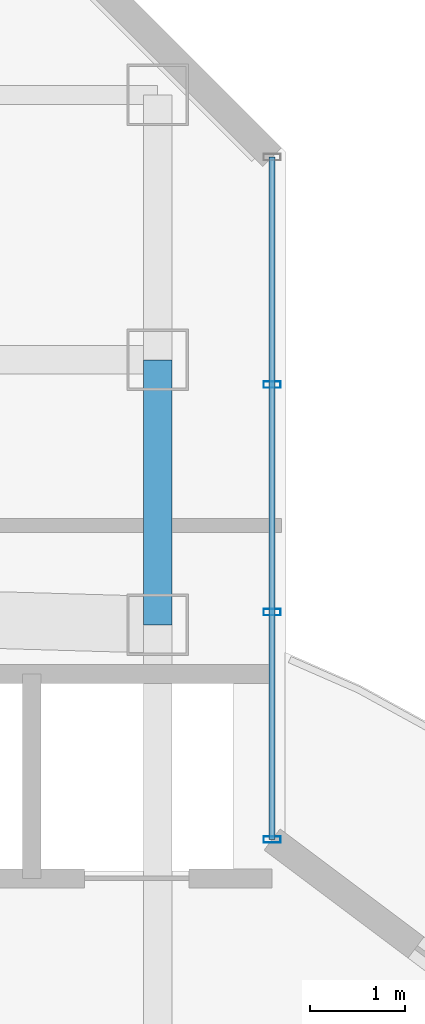
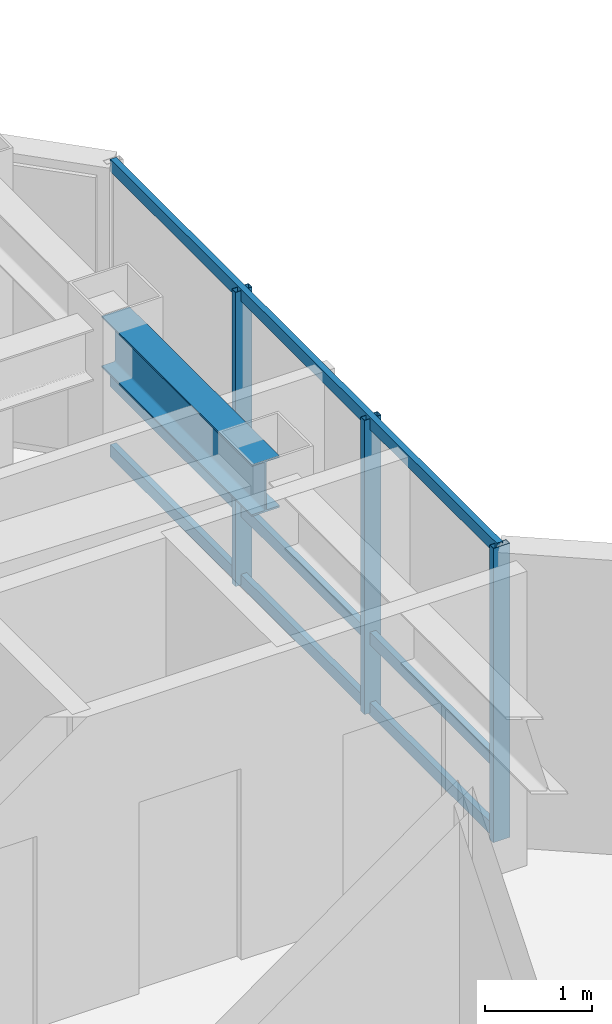
# One storey, part 12 of 22: 6 members, 1 beam, 1 element without a shape of its own.
"""IFC4 building model written with IfcOpenShell, lengths in metres."""

from ifc_helpers import new_model, si_unit, direction, frame, origin, origin_2d, place, context, subcontext, project, spatial, hollow_rectangle, i_section, extrude, material, layer, layer_set, material_profile, profile_set, type_object, element, aggregate, save


model = new_model("IFC4")

# Units and contexts
model_context = context("Model", 3, precision=1e-05, world=origin(), true_north=direction((0.0, 1.0)))
body_context = subcontext(model_context, "Body", "Model", "MODEL_VIEW")
ifc_project = project(units=[si_unit("LENGTHUNIT", "METRE"), si_unit("AREAUNIT", "SQUARE_METRE"), si_unit("VOLUMEUNIT", "CUBIC_METRE"), si_unit("PLANEANGLEUNIT", "RADIAN"), si_unit("MASSUNIT", "GRAM", prefix="KILO")], contexts=[model_context])

# Site, building, storey
site_placement = place(None, origin())
site = spatial("IfcSite", under=ifc_project, at=site_placement, CompositionType="ELEMENT")
building_placement = place(site_placement, origin())
building = spatial("IfcBuilding", under=site, at=building_placement, Name="Hatsunagi Terrace Concourse", CompositionType="ELEMENT")
storey_placement = place(building_placement, frame((0.0, 0.0, 239.550048828125)))
storey = spatial("IfcBuildingStorey", under=building, at=storey_placement, Name="L63", CompositionType="ELEMENT", Elevation=239.550048828125)

# Curtain wall, members
ifc_material_1 = material(Name="Anodised Aluminium Alloy 6063-T5", Category="aluminium")
ifc_layer = layer(ifc_material_1, 0.199951171875)
ifc_layer_set = layer_set([ifc_layer], Name="OfficeZone2_CW04")
curtain_wall_type = type_object("IfcCurtainWallType", Name="OfficeZone2_CW04", PredefinedType="NOTDEFINED", material=ifc_layer_set)
curtain_wall_placement = place(storey_placement, origin())
curtain_wall = element("IfcCurtainWall", 1, at=curtain_wall_placement, inside=storey, type_object=curtain_wall_type, Name="Unitised Curtain Wall CW-04 CW-L63-12", PredefinedType="NOTDEFINED")
ifc_material_2 = material(Name="Anodised Aluminium Alloy 6063-T5", Category="aluminium")
ifc_material_profile_1 = material_profile(ifc_material_2, hollow_rectangle(XDim=0.070068359375, YDim=0.179931640625, WallThickness=0.00390625, at=origin_2d()), Name="ALU-MUL-180x70x4")
ifc_profile_set_1 = profile_set([ifc_material_profile_1], Name="Anodised Aluminium Alloy 6063-T5")
member_type_1 = type_object("IfcMemberType", Name="CurtainWallMullion_180x70", PredefinedType="MULLION", material=ifc_profile_set_1)
member_1_placement = place(storey_placement, frame((44.860107421875, 45.5380859375, 0.0), z_axis=(0.0, 0.0, 1.0), x_axis=(0.0, -1.0, 0.0)))
member_1 = element("IfcMember", 2, at=member_1_placement, type_object=member_type_1, Name="Curtain Wall Mullion MUL-02", PredefinedType="MULLION", context=body_context, shape_type="SweptSolid", body=[
    extrude(hollow_rectangle(XDim=0.070068359375, YDim=0.179931640625, WallThickness=0.00390625, at=origin_2d()), origin(), (0.0, 0.0, 1.0), 3.349853515625),
])
member_2_placement = place(storey_placement, frame((44.860107421875, 43.134033203125, 0.0), z_axis=(0.0, 0.0, 1.0), x_axis=(0.0, -1.0, 0.0)))
member_2 = element("IfcMember", 3, at=member_2_placement, type_object=member_type_1, Name="Curtain Wall Mullion MUL-02", PredefinedType="MULLION", context=body_context, shape_type="SweptSolid", body=[
    extrude(hollow_rectangle(XDim=0.070068359375, YDim=0.179931640625, WallThickness=0.00390625, at=origin_2d()), origin(), (0.0, 0.0, 1.0), 3.349853515625),
])
member_3_placement = place(storey_placement, frame((44.860107421875, 40.72998046875, 0.0), z_axis=(0.0, 0.0, 1.0), x_axis=(0.0, -1.0, 0.0)))
member_3 = element("IfcMember", 4, at=member_3_placement, type_object=member_type_1, Name="Curtain Wall Mullion MUL-02", PredefinedType="MULLION", context=body_context, shape_type="SweptSolid", body=[
    extrude(hollow_rectangle(XDim=0.070068359375, YDim=0.179931640625, WallThickness=0.00390625, at=origin_2d()), origin(), (0.0, 0.0, 1.0), 3.349853515625),
])
ifc_material_3 = material(Name="Anodised Aluminium Alloy 6063-T5", Category="aluminium")
ifc_material_profile_2 = material_profile(ifc_material_3, hollow_rectangle(XDim=0.06494140625, YDim=0.139892578125, WallThickness=0.00390625, at=origin_2d()), Name="ALU-TRN-140x65x4")
ifc_profile_set_2 = profile_set([ifc_material_profile_2], Name="Anodised Aluminium Alloy 6063-T5")
member_type_2 = type_object("IfcMemberType", Name="CurtainWallTransom_140x65", PredefinedType="USERDEFINED", material=ifc_profile_set_2)
member_4_placement = place(storey_placement, frame((44.860107421875, 47.94189453125, 0.050048828125), z_axis=(0.0, -1.0, 0.0), x_axis=(1.0, 0.0, 0.0)))
member_4 = element("IfcMember", 5, at=member_4_placement, type_object=member_type_2, Name="Curtain Wall Transom TRN-02", ObjectType="TRANSOM", PredefinedType="USERDEFINED", context=body_context, shape_type="SweptSolid", body=[
    extrude(hollow_rectangle(XDim=0.06494140625, YDim=0.139892578125, WallThickness=0.00390625, at=origin_2d()), origin(), (0.0, 0.0, 1.0), 7.2119140625),
])
member_5_placement = place(storey_placement, frame((44.860107421875, 47.94189453125, 0.849853515625), z_axis=(0.0, -1.0, 0.0), x_axis=(1.0, 0.0, 0.0)))
member_5 = element("IfcMember", 6, at=member_5_placement, type_object=member_type_2, Name="Curtain Wall Transom TRN-02", ObjectType="TRANSOM", PredefinedType="USERDEFINED", context=body_context, shape_type="SweptSolid", body=[
    extrude(hollow_rectangle(XDim=0.06494140625, YDim=0.139892578125, WallThickness=0.00390625, at=origin_2d()), origin(), (0.0, 0.0, 1.0), 7.2119140625),
])
member_6_placement = place(storey_placement, frame((44.860107421875, 47.94189453125, 3.300048828125), z_axis=(0.0, -1.0, 0.0), x_axis=(1.0, 0.0, 0.0)))
member_6 = element("IfcMember", 7, at=member_6_placement, type_object=member_type_2, Name="Curtain Wall Transom TRN-02", ObjectType="TRANSOM", PredefinedType="USERDEFINED", context=body_context, shape_type="SweptSolid", body=[
    extrude(hollow_rectangle(XDim=0.06494140625, YDim=0.139892578125, WallThickness=0.00390625, at=origin_2d()), origin(), (0.0, 0.0, 1.0), 7.2119140625),
])
aggregate(curtain_wall, [member_1, member_2, member_3, member_4, member_5, member_6])

# Beam
ifc_material_4 = material(Name="Steel SN490B", Category="steel")
ifc_material_profile_3 = material_profile(ifc_material_4, i_section(OverallWidth=0.300048828125, OverallDepth=0.587890625, WebThickness=0.011962890625, FlangeThickness=0.02001953125, FilletRadius=0.01806640625, at=origin_2d()), Name="H-588x300x12x20")
ifc_profile_set_3 = profile_set([ifc_material_profile_3], Name="Steel SN490B")
beam_type = type_object("IfcBeamType", Name="OfficeHighGirder_H_588x300", PredefinedType="BEAM", material=ifc_profile_set_3)
beam_placement = place(storey_placement, frame((43.64990234375, 43.0, 3.055908203125), z_axis=(0.0, 1.0, 0.0), x_axis=(-1.0, 0.0, 0.0)))
element("IfcBeam", 8, at=beam_placement, inside=storey, type_object=beam_type, Name="Beam G-06 BM-L63-CN3", PredefinedType="BEAM", context=body_context, shape_type="SweptSolid", body=[
    extrude(i_section(OverallWidth=0.300048828125, OverallDepth=0.587890625, WebThickness=0.011962890625, FlangeThickness=0.02001953125, FilletRadius=0.01806640625, at=origin_2d()), origin(), (0.0, 0.0, 1.0), 2.800048828125),
])

save(model, "model.ifc")
